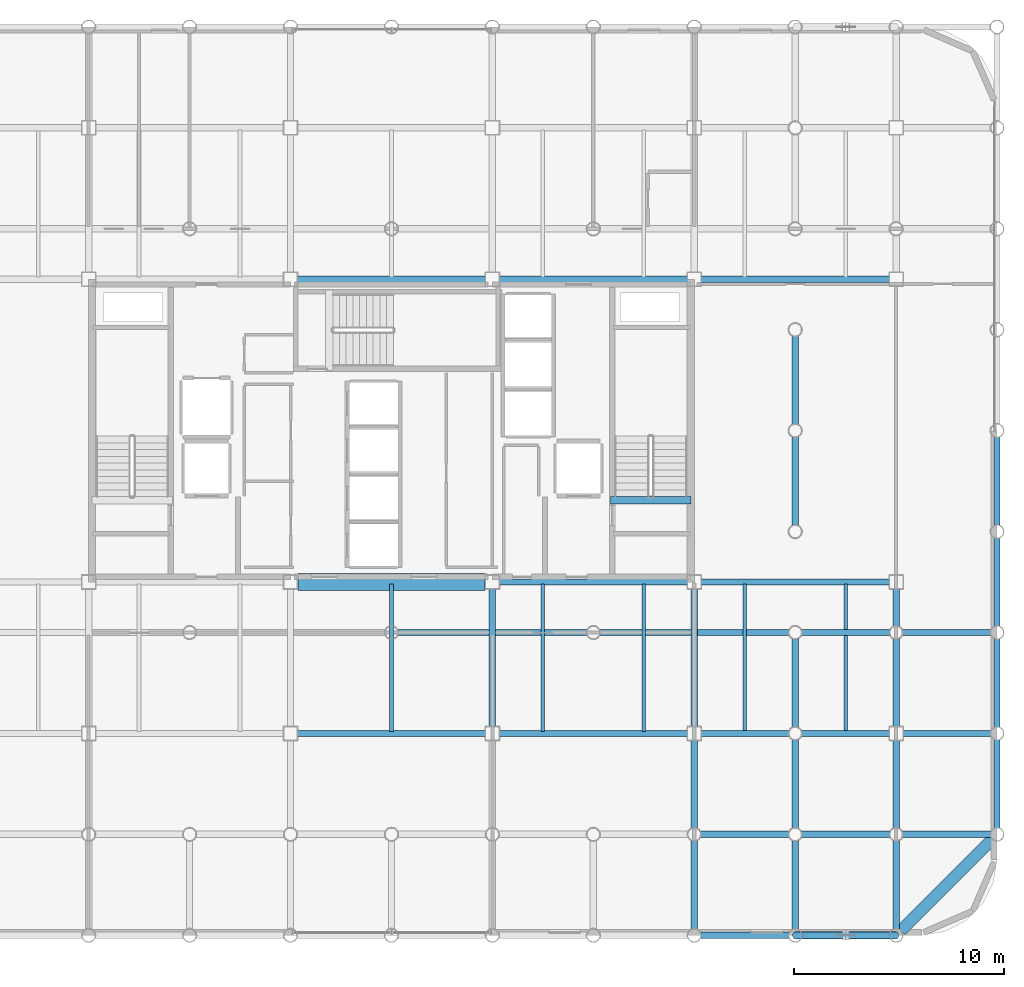
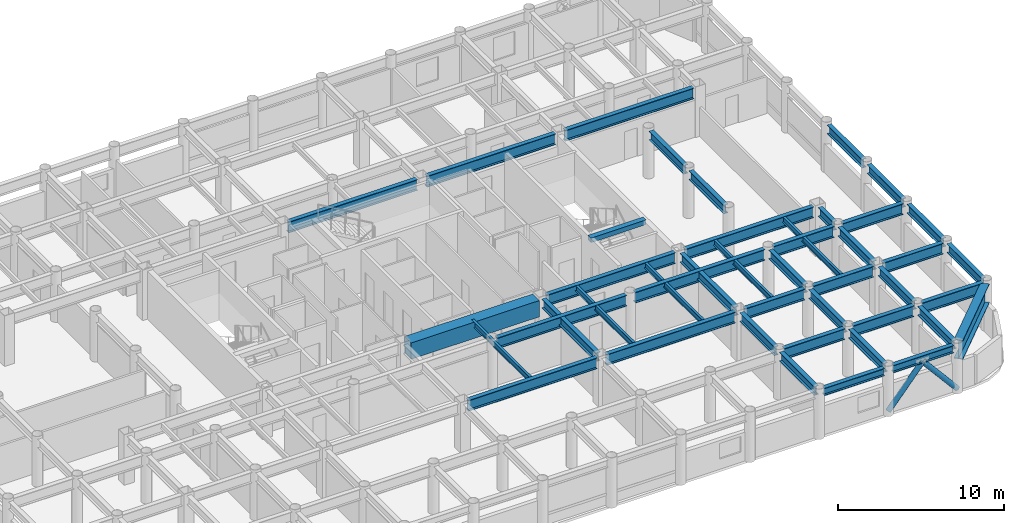
# One storey, part 7 of 19: 44 beams, 2 members.
"""IFC4 building model written with IfcOpenShell, lengths in metres."""

from ifc_helpers import new_model, si_unit, direction, frame, origin, origin_2d, place, context, subcontext, project, spatial, rectangle, hollow_circle, i_section, extrude, material, material_profile, profile_set, type_object, element, save


model = new_model("IFC4")

# Units and contexts
model_context = context("Model", 3, precision=1e-05, world=origin(), true_north=direction((0.0, 1.0)))
body_context = subcontext(model_context, "Body", "Model", "MODEL_VIEW")
ifc_project = project(units=[si_unit("LENGTHUNIT", "METRE"), si_unit("AREAUNIT", "SQUARE_METRE"), si_unit("VOLUMEUNIT", "CUBIC_METRE"), si_unit("PLANEANGLEUNIT", "RADIAN"), si_unit("MASSUNIT", "GRAM", prefix="KILO")], contexts=[model_context])

# Site, building, storey
site_placement = place(None, origin())
site = spatial("IfcSite", under=ifc_project, at=site_placement, CompositionType="ELEMENT")
building_placement = place(site_placement, origin())
building = spatial("IfcBuilding", under=site, at=building_placement, Name="Kallvorn Hotel Tower", CompositionType="ELEMENT")
storey_placement = place(building_placement, frame((0.0, 0.0, 165.5)))
storey = spatial("IfcBuildingStorey", under=building, at=storey_placement, Name="L41", CompositionType="ELEMENT", Elevation=165.5)

# Beams
ifc_material_1 = material(Name="Structural steel S355JR", Category="steel")
ifc_material_profile_1 = material_profile(ifc_material_1, i_section(OverallWidth=0.300048828125, OverallDepth=0.550048828125, WebThickness=0.014892578125, FlangeThickness=0.029052734375, at=origin_2d()), Name="HE 550 B")
ifc_profile_set_1 = profile_set([ifc_material_profile_1], Name="Structural steel S355JR")
beam_type_1 = type_object("IfcBeamType", Name="BM_HE550B", PredefinedType="SPANDREL", material=ifc_profile_set_1)
for number, where, z_axis, x_axis, name in (
    (1, (14.719970703125, -24.0, 3.2451171875), (1.0, 0.0, 0.0), (0.0, 1.0, 0.0), "L42 Perimeter Spandrel 160"),
    (2, (19.52001953125, -24.0, 3.2451171875), (1.0, 0.0, 0.0), (0.0, 1.0, 0.0), "L42 Perimeter Spandrel 161"),
):
    element("IfcBeam", number, at=place(storey_placement, frame(where, z_axis=z_axis, x_axis=x_axis)), inside=storey, type_object=beam_type_1, Name=name, PredefinedType="SPANDREL", context=body_context, shape_type="SweptSolid", body=[
        extrude(i_section(OverallWidth=0.300048828125, OverallDepth=0.550048828125, WebThickness=0.014892578125, FlangeThickness=0.029052734375, at=origin_2d()), origin(), (0.0, 0.0, 1.0), 4.159912109375),
    ])
ifc_material_2 = material(Name="Structural steel S355JR", Category="steel")
ifc_material_profile_2 = material_profile(ifc_material_2, i_section(OverallWidth=0.300048828125, OverallDepth=0.64990234375, WebThickness=0.01611328125, FlangeThickness=0.031005859375, at=origin_2d()), Name="HE 650 B")
ifc_profile_set_2 = profile_set([ifc_material_profile_2], Name="Structural steel S355JR")
beam_type_2 = type_object("IfcBeamType", Name="BM_HE650B", PredefinedType="BEAM", material=ifc_profile_set_2)
beam_1_placement = place(storey_placement, frame((4.800048828125, -14.074951171875, 3.195068359375), z_axis=(0.0, 1.0, 0.0), x_axis=(-1.0, 0.0, 0.0)))
element("IfcBeam", 3, at=beam_1_placement, inside=storey, type_object=beam_type_2, Name="L42 Primary Y-Girder 116", PredefinedType="BEAM", context=body_context, shape_type="SweptSolid", body=[
    extrude(i_section(OverallWidth=0.300048828125, OverallDepth=0.64990234375, WebThickness=0.01611328125, FlangeThickness=0.031005859375, at=origin_2d()), origin(), (0.0, 0.0, 1.0), 6.550048828125),
])
beam_2_placement = place(storey_placement, frame((14.39990234375, -23.695068359375, 3.195068359375), z_axis=(0.0, 1.0, 0.0), x_axis=(-1.0, 0.0, 0.0)))
element("IfcBeam", 4, at=beam_2_placement, inside=storey, type_object=beam_type_2, Name="L42 Primary Y-Girder 122", PredefinedType="BEAM", context=body_context, shape_type="SweptSolid", body=[
    extrude(i_section(OverallWidth=0.300048828125, OverallDepth=0.64990234375, WebThickness=0.01611328125, FlangeThickness=0.031005859375, at=origin_2d()), origin(), (0.0, 0.0, 1.0), 4.190185546875),
])
beam_3_placement = place(storey_placement, frame((14.39990234375, -18.89501953125, 3.195068359375), z_axis=(0.0, 1.0, 0.0), x_axis=(-1.0, 0.0, 0.0)))
element("IfcBeam", 5, at=beam_3_placement, inside=storey, type_object=beam_type_2, Name="L42 Primary Y-Girder 123", PredefinedType="BEAM", context=body_context, shape_type="SweptSolid", body=[
    extrude(i_section(OverallWidth=0.300048828125, OverallDepth=0.64990234375, WebThickness=0.01611328125, FlangeThickness=0.031005859375, at=origin_2d()), origin(), (0.0, 0.0, 1.0), 4.169921875),
])
beam_4_placement = place(storey_placement, frame((14.39990234375, -14.074951171875, 3.195068359375), z_axis=(0.0, 1.0, 0.0), x_axis=(-1.0, 0.0, 0.0)))
element("IfcBeam", 6, at=beam_4_placement, inside=storey, type_object=beam_type_2, Name="L42 Primary Y-Girder 124", PredefinedType="BEAM", context=body_context, shape_type="SweptSolid", body=[
    extrude(i_section(OverallWidth=0.300048828125, OverallDepth=0.64990234375, WebThickness=0.01611328125, FlangeThickness=0.031005859375, at=origin_2d()), origin(), (0.0, 0.0, 1.0), 6.550048828125),
])
beam_5_placement = place(storey_placement, frame((19.199951171875, -23.695068359375, 3.195068359375), z_axis=(0.0, 1.0, 0.0), x_axis=(-1.0, 0.0, 0.0)))
element("IfcBeam", 7, at=beam_5_placement, inside=storey, type_object=beam_type_2, Name="L42 Primary Y-Girder 127", PredefinedType="BEAM", context=body_context, shape_type="SweptSolid", body=[
    extrude(i_section(OverallWidth=0.300048828125, OverallDepth=0.64990234375, WebThickness=0.01611328125, FlangeThickness=0.031005859375, at=origin_2d()), origin(), (0.0, 0.0, 1.0), 4.190185546875),
])
for number, where, z_axis, x_axis, name in (
    (8, (19.199951171875, -18.89501953125, 3.195068359375), (0.0, 1.0, 0.0), (-1.0, 0.0, 0.0), "L42 Primary Y-Girder 128"),
    (9, (19.199951171875, -14.094970703125, 3.195068359375), (0.0, 1.0, 0.0), (-1.0, 0.0, 0.0), "L42 Primary Y-Girder 129"),
):
    element("IfcBeam", number, at=place(storey_placement, frame(where, z_axis=z_axis, x_axis=x_axis)), inside=storey, type_object=beam_type_2, Name=name, PredefinedType="BEAM", context=body_context, shape_type="SweptSolid", body=[
        extrude(i_section(OverallWidth=0.300048828125, OverallDepth=0.64990234375, WebThickness=0.01611328125, FlangeThickness=0.031005859375, at=origin_2d()), origin(), (0.0, 0.0, 1.0), 4.18994140625),
    ])
for number, where, z_axis, x_axis, name in (
    (10, (19.199951171875, -4.4951171875, 3.195068359375), (0.0, 1.0, 0.0), (-1.0, 0.0, 0.0), "L42 Primary Y-Girder 131"),
    (11, (19.199951171875, 0.304931640625, 3.195068359375), (0.0, 1.0, 0.0), (-1.0, 0.0, 0.0), "L42 Primary Y-Girder 132"),
    (12, (24.0, -23.695068359375, 3.195068359375), (0.0, 1.0, 0.0), (-1.0, 0.0, 0.0), "L42 Primary Y-Girder 136"),
):
    element("IfcBeam", number, at=place(storey_placement, frame(where, z_axis=z_axis, x_axis=x_axis)), inside=storey, type_object=beam_type_2, Name=name, PredefinedType="BEAM", context=body_context, shape_type="SweptSolid", body=[
        extrude(i_section(OverallWidth=0.300048828125, OverallDepth=0.64990234375, WebThickness=0.01611328125, FlangeThickness=0.031005859375, at=origin_2d()), origin(), (0.0, 0.0, 1.0), 4.190185546875),
    ])
for number, where, z_axis, x_axis, name in (
    (13, (24.0, -18.89501953125, 3.195068359375), (0.0, 1.0, 0.0), (-1.0, 0.0, 0.0), "L42 Primary Y-Girder 137"),
    (14, (24.0, -14.074951171875, 3.195068359375), (0.0, 1.0, 0.0), (-1.0, 0.0, 0.0), "L42 Primary Y-Girder 138"),
):
    element("IfcBeam", number, at=place(storey_placement, frame(where, z_axis=z_axis, x_axis=x_axis)), inside=storey, type_object=beam_type_2, Name=name, PredefinedType="BEAM", context=body_context, shape_type="SweptSolid", body=[
        extrude(i_section(OverallWidth=0.300048828125, OverallDepth=0.64990234375, WebThickness=0.01611328125, FlangeThickness=0.031005859375, at=origin_2d()), origin(), (0.0, 0.0, 1.0), 4.169921875),
    ])
beam_6_placement = place(storey_placement, frame((24.0, -9.294921875, 3.195068359375), z_axis=(0.0, 1.0, 0.0), x_axis=(-1.0, 0.0, 0.0)))
element("IfcBeam", 15, at=beam_6_placement, inside=storey, type_object=beam_type_2, Name="L42 Primary Y-Girder 139", PredefinedType="BEAM", context=body_context, shape_type="SweptSolid", body=[
    extrude(i_section(OverallWidth=0.300048828125, OverallDepth=0.64990234375, WebThickness=0.01611328125, FlangeThickness=0.031005859375, at=origin_2d()), origin(), (0.0, 0.0, 1.0), 1.77001953125),
])
for number, where, z_axis, x_axis, name in (
    (16, (28.800048828125, -18.89501953125, 3.195068359375), (0.0, 1.0, 0.0), (-1.0, 0.0, 0.0), "L42 Primary Y-Girder 143"),
    (17, (28.800048828125, -14.094970703125, 3.195068359375), (0.0, 1.0, 0.0), (-1.0, 0.0, 0.0), "L42 Primary Y-Girder 144"),
    (18, (28.800048828125, -9.294921875, 3.195068359375), (0.0, 1.0, 0.0), (-1.0, 0.0, 0.0), "L42 Primary Y-Girder 145"),
):
    element("IfcBeam", number, at=place(storey_placement, frame(where, z_axis=z_axis, x_axis=x_axis)), inside=storey, type_object=beam_type_2, Name=name, PredefinedType="BEAM", context=body_context, shape_type="SweptSolid", body=[
        extrude(i_section(OverallWidth=0.300048828125, OverallDepth=0.64990234375, WebThickness=0.01611328125, FlangeThickness=0.031005859375, at=origin_2d()), origin(), (0.0, 0.0, 1.0), 4.18994140625),
    ])
beam_7_placement = place(storey_placement, frame((28.800048828125, -4.4951171875, 3.195068359375), z_axis=(0.0, 1.0, 0.0), x_axis=(-1.0, 0.0, 0.0)))
element("IfcBeam", 19, at=beam_7_placement, inside=storey, type_object=beam_type_2, Name="L42 Primary Y-Girder 146", PredefinedType="BEAM", context=body_context, shape_type="SweptSolid", body=[
    extrude(i_section(OverallWidth=0.300048828125, OverallDepth=0.64990234375, WebThickness=0.01611328125, FlangeThickness=0.031005859375, at=origin_2d()), origin(), (0.0, 0.0, 1.0), 4.190185546875),
])
ifc_material_3 = material(Name="Structural steel S355JR", Category="steel")
ifc_material_profile_3 = material_profile(ifc_material_3, i_section(OverallWidth=0.300048828125, OverallDepth=0.800048828125, WebThickness=0.017578125, FlangeThickness=0.032958984375, at=origin_2d()), Name="HE 800 B")
ifc_profile_set_3 = profile_set([ifc_material_profile_3], Name="Structural steel S355JR")
beam_type_3 = type_object("IfcBeamType", Name="BM_HE800B", PredefinedType="BEAM", material=ifc_profile_set_3)
beam_8_placement = place(storey_placement, frame((14.705078125, -19.199951171875, 3.1201171875), z_axis=(1.0, 0.0, 0.0), x_axis=(0.0, 1.0, 0.0)))
element("IfcBeam", 20, at=beam_8_placement, inside=storey, type_object=beam_type_3, Name="L42 Primary X-Girder 11", PredefinedType="BEAM", context=body_context, shape_type="SweptSolid", body=[
    extrude(i_section(OverallWidth=0.300048828125, OverallDepth=0.800048828125, WebThickness=0.017578125, FlangeThickness=0.032958984375, at=origin_2d()), origin(), (0.0, 0.0, 1.0), 4.18994140625),
])
for number, where, z_axis, x_axis, name in (
    (21, (19.5048828125, -19.199951171875, 3.1201171875), (1.0, 0.0, 0.0), (0.0, 1.0, 0.0), "L42 Primary X-Girder 12"),
    (22, (24.304931640625, -19.199951171875, 3.1201171875), (1.0, 0.0, 0.0), (0.0, 1.0, 0.0), "L42 Primary X-Girder 13"),
):
    element("IfcBeam", number, at=place(storey_placement, frame(where, z_axis=z_axis, x_axis=x_axis)), inside=storey, type_object=beam_type_3, Name=name, PredefinedType="BEAM", context=body_context, shape_type="SweptSolid", body=[
        extrude(i_section(OverallWidth=0.300048828125, OverallDepth=0.800048828125, WebThickness=0.017578125, FlangeThickness=0.032958984375, at=origin_2d()), origin(), (0.0, 0.0, 1.0), 4.190185546875),
    ])
beam_9_placement = place(storey_placement, frame((-4.47509765625, -14.39990234375, 3.1201171875), z_axis=(1.0, 0.0, 0.0), x_axis=(0.0, 1.0, 0.0)))
element("IfcBeam", 23, at=beam_9_placement, inside=storey, type_object=beam_type_3, Name="L42 Primary X-Girder 19", PredefinedType="BEAM", context=body_context, shape_type="SweptSolid", body=[
    extrude(i_section(OverallWidth=0.300048828125, OverallDepth=0.800048828125, WebThickness=0.017578125, FlangeThickness=0.032958984375, at=origin_2d()), origin(), (0.0, 0.0, 1.0), 8.9501953125),
])
beam_10_placement = place(storey_placement, frame((5.125, -14.39990234375, 3.1201171875), z_axis=(1.0, 0.0, 0.0), x_axis=(0.0, 1.0, 0.0)))
element("IfcBeam", 24, at=beam_10_placement, inside=storey, type_object=beam_type_3, Name="L42 Primary X-Girder 20", PredefinedType="BEAM", context=body_context, shape_type="SweptSolid", body=[
    extrude(i_section(OverallWidth=0.300048828125, OverallDepth=0.800048828125, WebThickness=0.017578125, FlangeThickness=0.032958984375, at=origin_2d()), origin(), (0.0, 0.0, 1.0), 8.949951171875),
])
beam_11_placement = place(storey_placement, frame((14.72509765625, -14.39990234375, 3.1201171875), z_axis=(1.0, 0.0, 0.0), x_axis=(0.0, 1.0, 0.0)))
element("IfcBeam", 25, at=beam_11_placement, inside=storey, type_object=beam_type_3, Name="L42 Primary X-Girder 21", PredefinedType="BEAM", context=body_context, shape_type="SweptSolid", body=[
    extrude(i_section(OverallWidth=0.300048828125, OverallDepth=0.800048828125, WebThickness=0.017578125, FlangeThickness=0.032958984375, at=origin_2d()), origin(), (0.0, 0.0, 1.0), 4.169921875),
])
for number, where, z_axis, x_axis, name in (
    (26, (19.5048828125, -14.39990234375, 3.1201171875), (1.0, 0.0, 0.0), (0.0, 1.0, 0.0), "L42 Primary X-Girder 22"),
    (27, (24.324951171875, -14.39990234375, 3.1201171875), (1.0, 0.0, 0.0), (0.0, 1.0, 0.0), "L42 Primary X-Girder 23"),
):
    element("IfcBeam", number, at=place(storey_placement, frame(where, z_axis=z_axis, x_axis=x_axis)), inside=storey, type_object=beam_type_3, Name=name, PredefinedType="BEAM", context=body_context, shape_type="SweptSolid", body=[
        extrude(i_section(OverallWidth=0.300048828125, OverallDepth=0.800048828125, WebThickness=0.017578125, FlangeThickness=0.032958984375, at=origin_2d()), origin(), (0.0, 0.0, 1.0), 4.170166015625),
    ])
for number, where, z_axis, x_axis, name in (
    (28, (0.304931640625, -9.60009765625, 3.1201171875), (1.0, 0.0, 0.0), (0.0, 1.0, 0.0), "L42 Primary X-Girder 29"),
    (29, (9.905029296875, -9.60009765625, 3.1201171875), (1.0, 0.0, 0.0), (0.0, 1.0, 0.0), "L42 Primary X-Girder 30"),
):
    element("IfcBeam", number, at=place(storey_placement, frame(where, z_axis=z_axis, x_axis=x_axis)), inside=storey, type_object=beam_type_3, Name=name, PredefinedType="BEAM", context=body_context, shape_type="SweptSolid", body=[
        extrude(i_section(OverallWidth=0.300048828125, OverallDepth=0.800048828125, WebThickness=0.017578125, FlangeThickness=0.032958984375, at=origin_2d()), origin(), (0.0, 0.0, 1.0), 8.989990234375),
    ])
for number, where, z_axis, x_axis, name in (
    (30, (19.5048828125, -9.60009765625, 3.1201171875), (1.0, 0.0, 0.0), (0.0, 1.0, 0.0), "L42 Primary X-Girder 31"),
    (31, (24.304931640625, -9.60009765625, 3.1201171875), (1.0, 0.0, 0.0), (0.0, 1.0, 0.0), "L42 Primary X-Girder 32"),
):
    element("IfcBeam", number, at=place(storey_placement, frame(where, z_axis=z_axis, x_axis=x_axis)), inside=storey, type_object=beam_type_3, Name=name, PredefinedType="BEAM", context=body_context, shape_type="SweptSolid", body=[
        extrude(i_section(OverallWidth=0.300048828125, OverallDepth=0.800048828125, WebThickness=0.017578125, FlangeThickness=0.032958984375, at=origin_2d()), origin(), (0.0, 0.0, 1.0), 4.190185546875),
    ])
for number, where, z_axis, x_axis, name in (
    (32, (5.125, -7.199951171875, 3.1201171875), (1.0, 0.0, 0.0), (0.0, 1.0, 0.0), "L42 Primary X-Girder 35"),
    (33, (14.72509765625, -7.199951171875, 3.1201171875), (1.0, 0.0, 0.0), (0.0, 1.0, 0.0), "L42 Primary X-Girder 36"),
):
    element("IfcBeam", number, at=place(storey_placement, frame(where, z_axis=z_axis, x_axis=x_axis)), inside=storey, type_object=beam_type_3, Name=name, PredefinedType="BEAM", context=body_context, shape_type="SweptSolid", body=[
        extrude(i_section(OverallWidth=0.300048828125, OverallDepth=0.800048828125, WebThickness=0.017578125, FlangeThickness=0.032958984375, at=origin_2d()), origin(), (0.0, 0.0, 1.0), 8.949951171875),
    ])
beam_12_placement = place(storey_placement, frame((-4.47509765625, 7.199951171875, 3.1201171875), z_axis=(1.0, 0.0, 0.0), x_axis=(0.0, 1.0, 0.0)))
element("IfcBeam", 34, at=beam_12_placement, inside=storey, type_object=beam_type_3, Name="L42 Primary X-Girder 39", PredefinedType="BEAM", context=body_context, shape_type="SweptSolid", body=[
    extrude(i_section(OverallWidth=0.300048828125, OverallDepth=0.800048828125, WebThickness=0.017578125, FlangeThickness=0.032958984375, at=origin_2d()), origin(), (0.0, 0.0, 1.0), 8.9501953125),
])
for number, where, z_axis, x_axis, name in (
    (35, (5.125, 7.199951171875, 3.1201171875), (1.0, 0.0, 0.0), (0.0, 1.0, 0.0), "L42 Primary X-Girder 40"),
    (36, (14.72509765625, 7.199951171875, 3.1201171875), (1.0, 0.0, 0.0), (0.0, 1.0, 0.0), "L42 Primary X-Girder 41"),
):
    element("IfcBeam", number, at=place(storey_placement, frame(where, z_axis=z_axis, x_axis=x_axis)), inside=storey, type_object=beam_type_3, Name=name, PredefinedType="BEAM", context=body_context, shape_type="SweptSolid", body=[
        extrude(i_section(OverallWidth=0.300048828125, OverallDepth=0.800048828125, WebThickness=0.017578125, FlangeThickness=0.032958984375, at=origin_2d()), origin(), (0.0, 0.0, 1.0), 8.949951171875),
    ])
ifc_material_4 = material(Name="Structural steel S355JR", Category="steel")
ifc_material_profile_4 = material_profile(ifc_material_4, i_section(OverallWidth=0.179931640625, OverallDepth=0.39990234375, WebThickness=0.008544921875, FlangeThickness=0.013427734375, at=origin_2d()), Name="IPE 400")
ifc_profile_set_4 = profile_set([ifc_material_profile_4], Name="Structural steel S355JR")
beam_type_4 = type_object("IfcBeamType", Name="BM_IPE400", PredefinedType="JOIST", material=ifc_profile_set_4)
for number, where, z_axis, x_axis, name in (
    (37, (0.0, -14.300048828125, 3.320068359375), (0.0, 1.0, 0.0), (-1.0, 0.0, 0.0), "L42 Secondary Composite Joist 200"),
    (38, (7.199951171875, -14.300048828125, 3.320068359375), (0.0, 1.0, 0.0), (-1.0, 0.0, 0.0), "L42 Secondary Composite Joist 202"),
    (39, (12.0, -14.300048828125, 3.320068359375), (0.0, 1.0, 0.0), (-1.0, 0.0, 0.0), "L42 Secondary Composite Joist 204"),
    (40, (16.800048828125, -14.300048828125, 3.320068359375), (0.0, 1.0, 0.0), (-1.0, 0.0, 0.0), "L42 Secondary Composite Joist 206"),
    (41, (21.60009765625, -14.300048828125, 3.320068359375), (0.0, 1.0, 0.0), (-1.0, 0.0, 0.0), "L42 Secondary Composite Joist 208"),
):
    element("IfcBeam", number, at=place(storey_placement, frame(where, z_axis=z_axis, x_axis=x_axis)), inside=storey, type_object=beam_type_4, Name=name, PredefinedType="JOIST", context=body_context, shape_type="SweptSolid", body=[
        extrude(i_section(OverallWidth=0.179931640625, OverallDepth=0.39990234375, WebThickness=0.008544921875, FlangeThickness=0.013427734375, at=origin_2d()), origin(), (0.0, 0.0, 1.0), 7.0),
    ])
ifc_material_5 = material(Name="Structural steel S355JR", Category="steel")
ifc_material_profile_5 = material_profile(ifc_material_5, i_section(OverallWidth=0.550048828125, OverallDepth=1.39990234375, WebThickness=0.02490234375, FlangeThickness=0.044921875, at=origin_2d()), Name="PG 1400x550x25x45")
ifc_profile_set_5 = profile_set([ifc_material_profile_5], Name="Structural steel S355JR")
beam_type_5 = type_object("IfcBeamType", Name="BM_PG_1400", PredefinedType="BEAM", material=ifc_profile_set_5)
beam_13_placement = place(storey_placement, frame((28.57373046875, -19.42626953125, 2.820068359375), z_axis=(-0.707106781187, -0.707106781187, 0.0), x_axis=(0.707106781187, -0.707106781187, 0.0)))
element("IfcBeam", 42, at=beam_13_placement, inside=storey, type_object=beam_type_5, Name="L42 Rounded Corner Tie Beam 191", PredefinedType="BEAM", context=body_context, shape_type="SweptSolid", body=[
    extrude(i_section(OverallWidth=0.550048828125, OverallDepth=1.39990234375, WebThickness=0.02490234375, FlangeThickness=0.044921875, at=origin_2d()), origin(), (0.0, 0.0, 1.0), 6.148193359375),
])
ifc_material_6 = material(Name="Concrete C50/60", Category="concrete")
ifc_material_profile_6 = material_profile(ifc_material_6, rectangle(XDim=0.360107421875, YDim=0.340087890625, at=origin_2d()), Name="RC 360x340")
ifc_profile_set_6 = profile_set([ifc_material_profile_6], Name="Concrete C50/60")
beam_type_6 = type_object("IfcBeamType", Name="BM_RC_400x360", PredefinedType="BEAM", material=ifc_profile_set_6)
beam_14_placement = place(storey_placement, frame((14.239990234375, -3.31005859375, 3.35009765625), z_axis=(-1.0, 0.0, 0.0), x_axis=(0.0, -1.0, 0.0)))
element("IfcBeam", 43, at=beam_14_placement, inside=storey, type_object=beam_type_6, Name="L42 Stair ST2 Arrival Trimmer Beam", PredefinedType="BEAM", context=body_context, shape_type="SweptSolid", body=[
    extrude(rectangle(XDim=0.360107421875, YDim=0.340087890625, at=origin_2d()), origin(), (0.0, 0.0, 1.0), 3.820068359375),
])
ifc_material_7 = material(Name="Concrete C50/60", Category="concrete")
ifc_material_profile_7 = material_profile(ifc_material_7, rectangle(XDim=0.800048828125, YDim=1.199951171875, at=origin_2d()), Name="RC 800x1200")
ifc_profile_set_7 = profile_set([ifc_material_profile_7], Name="Concrete C50/60")
beam_type_7 = type_object("IfcBeamType", Name="BM_RC_800x1200", PredefinedType="T_BEAM", material=ifc_profile_set_7)
beam_15_placement = place(storey_placement, frame((-4.449951171875, -7.199951171875, 2.919921875), z_axis=(1.0, 0.0, 0.0), x_axis=(0.0, 1.0, 0.0)))
element("IfcBeam", 44, at=beam_15_placement, inside=storey, type_object=beam_type_7, Name="L41 Core Coupling Beam South", PredefinedType="T_BEAM", context=body_context, shape_type="SweptSolid", body=[
    extrude(rectangle(XDim=0.800048828125, YDim=1.199951171875, at=origin_2d()), origin(), (0.0, 0.0, 1.0), 8.89990234375),
])

# Members
ifc_material_8 = material(Name="Structural steel S355J2H", Category="steel")
ifc_material_profile_8 = material_profile(ifc_material_8, hollow_circle(Radius=0.177734375, WallThickness=0.01416015625, at=origin_2d()), Name="CHS 355.6x14.2")
ifc_profile_set_8 = profile_set([ifc_material_profile_8], Name="Structural steel S355J2H")
member_type = type_object("IfcMemberType", Name="MBR_EXO_CHS355", PredefinedType="BRACE", material=ifc_profile_set_8)
for number, where, z_axis, x_axis, name in (
    (45, (19.212890625, -24.0, 0.1953125), (0.646833296797, 0.0, 0.762631422218), (0.0, 1.0, 0.0), "L41 Exoskeleton K-Brace S2A"),
    (46, (23.987060546875, -24.0, 0.1953125), (-0.646833296797, 0.0, 0.762631422218), (0.0, -1.0, 0.0), "L41 Exoskeleton K-Brace S2B"),
):
    element("IfcMember", number, at=place(storey_placement, frame(where, z_axis=z_axis, x_axis=x_axis)), inside=storey, type_object=member_type, Name=name, PredefinedType="BRACE", context=body_context, shape_type="SweptSolid", body=[
        extrude(hollow_circle(Radius=0.177734375, WallThickness=0.01416015625, at=origin_2d()), origin(), (0.0, 0.0, 1.0), 3.670654296875),
    ])

save(model, "model.ifc")
